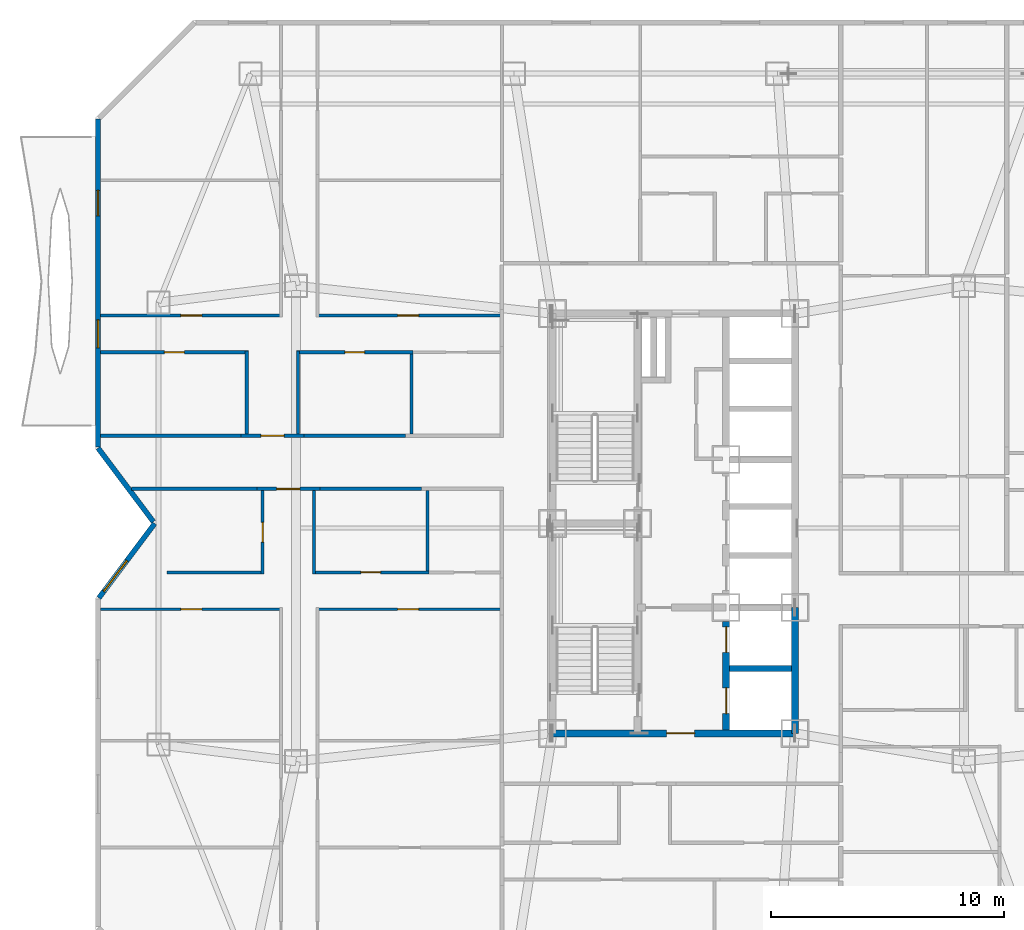
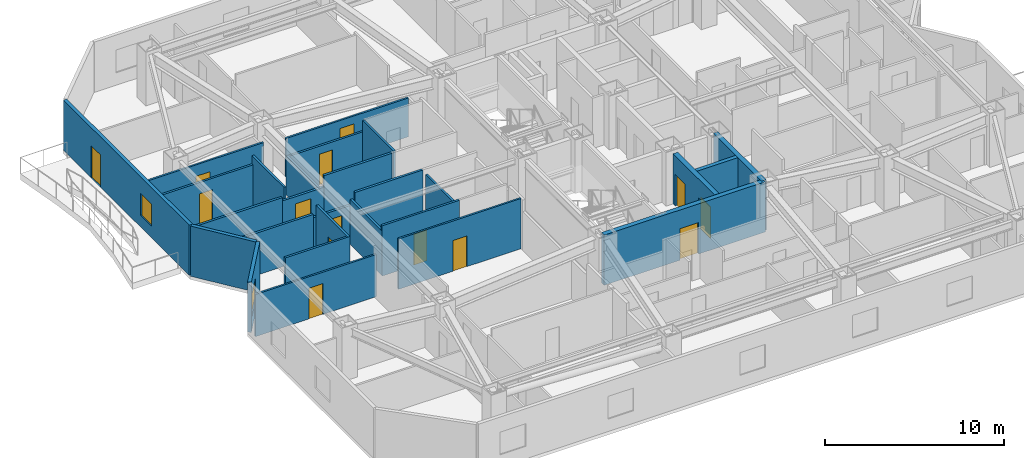
# One storey, part 8 of 14: 27 walls, 14 doors, 2 windows, 16 openings.
"""IFC4 building model written with IfcOpenShell, lengths in metres."""

from ifc_helpers import new_model, si_unit, direction, frame, frame_2d, origin, place, context, subcontext, project, spatial, rectangle, extrude, material, layer, layer_set, type_object, element, fill, save


model = new_model("IFC4")

# Units and contexts
model_context = context("Model", 3, precision=1e-05, world=origin(), true_north=direction((0.0, 1.0)))
body_context = subcontext(model_context, "Body", "Model", "MODEL_VIEW")
ifc_project = project(units=[si_unit("LENGTHUNIT", "METRE"), si_unit("AREAUNIT", "SQUARE_METRE"), si_unit("VOLUMEUNIT", "CUBIC_METRE"), si_unit("PLANEANGLEUNIT", "RADIAN"), si_unit("MASSUNIT", "GRAM", prefix="KILO")], contexts=[model_context])

# Site, building, storey
site_placement = place(None, origin())
site = spatial("IfcSite", under=ifc_project, at=site_placement, CompositionType="ELEMENT")
building_placement = place(site_placement, origin())
building = spatial("IfcBuilding", under=site, at=building_placement, Name="Khamvora Tower", CompositionType="ELEMENT")
storey_placement = place(building_placement, frame((0.0, 0.0, 123.800048828125)))
storey = spatial("IfcBuildingStorey", under=building, at=storey_placement, Name="L31", CompositionType="ELEMENT", Elevation=123.800048828125)

# Wall, opening, door
ifc_material_1 = material(Name="Concrete C50/60", Category="concrete")
ifc_layer_1 = layer(ifc_material_1, 0.300048828125)
ifc_layer_set_1 = layer_set([ifc_layer_1], Name="Concrete C50/60")
wall_type_1 = type_object("IfcWallType", Name="WAL-CORE-300", PredefinedType="SHEAR", material=ifc_layer_set_1)
wall_1_placement = place(storey_placement, frame((29.0, 19.0, 0.0), z_axis=(0.0, 0.0, 1.0), x_axis=(1.0, 0.0, 0.0)))
wall_1 = element("IfcWall", 1, at=wall_1_placement, inside=storey, type_object=wall_type_1, Name="L31 central core south wall", PredefinedType="SHEAR", context=body_context, shape_type="SweptSolid", body=[
    extrude(rectangle(XDim=10.39990234375, YDim=0.300048828125, at=frame_2d((5.199951171875, 0.0))), origin(), (0.0, 0.0, 1.0), 3.429931640625),
])
opening_1_placement = place(wall_1_placement, frame((4.89990234375, 0.0, 0.0)))
opening_1 = element("IfcOpeningElement", 2, at=opening_1_placement, cuts=wall_1, Name="Opening D-CR1", PredefinedType="OPENING", context=body_context, shape_type="SweptSolid", body=[
    extrude(rectangle(XDim=1.199951171875, YDim=2.14990234375, at=frame_2d((0.60009765625, 1.074951171875))), frame((0.0, 0.159912109375, 0.0), z_axis=(0.0, -1.0, 0.0), x_axis=(1.0, 0.0, 0.0)), (0.0, 0.0, 1.0), 0.320068359375),
])
ifc_material_2 = material(Name="Powder-Coated Steel and Hardwood Leaf", Category="steel")
door_type_1 = type_object("IfcDoorType", Name="DOR-CORR-1200", OperationType="NOTDEFINED", PredefinedType="DOOR", material=ifc_material_2)
door_1_placement = place(opening_1_placement, origin())
door_1 = element("IfcDoor", 3, at=door_1_placement, inside=storey, type_object=door_type_1, Name="L31 south core lobby to corridor fire door", OperationType="SINGLE_SWING_LEFT", OverallHeight=2.14990234375, OverallWidth=1.199951171875, PredefinedType="DOOR", context=body_context, shape_type="SweptSolid", body=[
    extrude(rectangle(XDim=1.199951171875, YDim=2.14990234375, at=frame_2d((0.60009765625, 1.074951171875))), frame((0.0, 0.02490234375, 0.0), z_axis=(0.0, -1.0, 0.0), x_axis=(1.0, 0.0, 0.0)), (0.0, 0.0, 1.0), 0.050048828125),
])
fill(opening_1, door_1)

# Wall
wall_2_placement = place(storey_placement, frame((39.39990234375, 19.0, 0.0), z_axis=(0.0, 0.0, 1.0), x_axis=(0.0, 1.0, 0.0)))
element("IfcWall", 4, at=wall_2_placement, inside=storey, type_object=wall_type_1, Name="L31 central core east south wall", PredefinedType="SHEAR", context=body_context, shape_type="SweptSolid", body=[
    extrude(rectangle(XDim=5.39990234375, YDim=0.300048828125, at=frame_2d((2.699951171875, 0.0))), origin(), (0.0, 0.0, 1.0), 3.429931640625),
])

# Wall, openings, doors
wall_3_placement = place(storey_placement, frame((36.449951171875, 19.154052734375, 0.0), z_axis=(0.0, 0.0, 1.0), x_axis=(0.0, 1.0, 0.0)))
wall_3 = element("IfcWall", 5, at=wall_3_placement, inside=storey, type_object=wall_type_1, Name="L31 central core lift bank south wall", PredefinedType="SHEAR", context=body_context, shape_type="SweptSolid", body=[
    extrude(rectangle(XDim=4.64599609375, YDim=0.300048828125, at=frame_2d((2.322998046875, 0.0))), origin(), (0.0, 0.0, 1.0), 3.429931640625),
])
opening_2_placement = place(wall_3_placement, frame((0.696044921875, 0.0, 0.0)))
opening_2 = element("IfcOpeningElement", 6, at=opening_2_placement, cuts=wall_3, Name="Opening LD-FFL", PredefinedType="OPENING", context=body_context, shape_type="SweptSolid", body=[
    extrude(rectangle(XDim=1.10009765625, YDim=2.14990234375, at=frame_2d((0.550048828125, 1.074951171875))), frame((0.0, 0.159912109375, 0.0), z_axis=(0.0, -1.0, 0.0), x_axis=(1.0, 0.0, 0.0)), (0.0, 0.0, 1.0), 0.320068359375),
])
opening_3_placement = place(wall_3_placement, frame((3.31591796875, 0.0, 0.0)))
opening_3 = element("IfcOpeningElement", 7, at=opening_3_placement, cuts=wall_3, Name="Opening LD-FFL", PredefinedType="OPENING", context=body_context, shape_type="SweptSolid", body=[
    extrude(rectangle(XDim=1.10009765625, YDim=2.14990234375, at=frame_2d((0.550048828125, 1.074951171875))), frame((0.0, 0.159912109375, 0.0), z_axis=(0.0, -1.0, 0.0), x_axis=(1.0, 0.0, 0.0)), (0.0, 0.0, 1.0), 0.320068359375),
])
door_type_2 = type_object("IfcDoorType", Name="DOR-LIFT-1100", OperationType="SLIDING_TO_LEFT", PredefinedType="DOOR", material=ifc_material_2)
door_2_placement = place(opening_2_placement, origin())
door_2 = element("IfcDoor", 8, at=door_2_placement, inside=storey, type_object=door_type_2, Name="L31 lift landing sliding door FFL-01", OperationType="SLIDING_TO_LEFT", OverallHeight=2.14990234375, OverallWidth=1.10009765625, PredefinedType="DOOR", context=body_context, shape_type="SweptSolid", body=[
    extrude(rectangle(XDim=1.10009765625, YDim=2.14990234375, at=frame_2d((0.550048828125, 1.074951171875))), frame((0.0, 0.02490234375, 0.0), z_axis=(0.0, -1.0, 0.0), x_axis=(1.0, 0.0, 0.0)), (0.0, 0.0, 1.0), 0.050048828125),
])
fill(opening_2, door_2)
door_3_placement = place(opening_3_placement, origin())
door_3 = element("IfcDoor", 9, at=door_3_placement, inside=storey, type_object=door_type_2, Name="L31 lift landing sliding door FFL-02", OperationType="SLIDING_TO_LEFT", OverallHeight=2.14990234375, OverallWidth=1.10009765625, PredefinedType="DOOR", context=body_context, shape_type="SweptSolid", body=[
    extrude(rectangle(XDim=1.10009765625, YDim=2.14990234375, at=frame_2d((0.550048828125, 1.074951171875))), frame((0.0, 0.02490234375, 0.0), z_axis=(0.0, -1.0, 0.0), x_axis=(1.0, 0.0, 0.0)), (0.0, 0.0, 1.0), 0.050048828125),
])
fill(opening_3, door_3)

# Wall, opening, door
ifc_material_3 = material(Name="Fire-Rated Drywall and Steel Stud", Category="steel")
ifc_layer_2 = layer(ifc_material_3, 0.14990234375)
ifc_layer_set_2 = layer_set([ifc_layer_2], Name="Fire-Rated Drywall and Steel Stud")
wall_type_2 = type_object("IfcWallType", Name="WAL-CORR-150", PredefinedType="STANDARD", material=ifc_layer_set_2)
wall_4_placement = place(storey_placement, frame((19.02001953125, 29.485107421875, 0.0), z_axis=(0.0, 0.0, 1.0), x_axis=(-1.0, 0.0, 0.0)))
wall_4 = element("IfcWall", 10, at=wall_4_placement, inside=storey, type_object=wall_type_2, Name="L31 interior partition wall 008", PredefinedType="STANDARD", context=body_context, shape_type="SweptSolid", body=[
    extrude(rectangle(XDim=2.697998046875, YDim=0.14990234375, at=frame_2d((1.34912109375, 0.0))), origin(), (0.0, 0.0, 1.0), 2.64697265625),
])
opening_4_placement = place(wall_4_placement, frame((0.84912109375, 0.0, 0.0)))
opening_4 = element("IfcOpeningElement", 11, at=opening_4_placement, cuts=wall_4, Name="Opening D-U1", PredefinedType="OPENING", context=body_context, shape_type="SweptSolid", body=[
    extrude(rectangle(XDim=1.0, YDim=2.14990234375, at=frame_2d((0.5, 1.074951171875))), frame((0.0, 0.0849609375, 0.0), z_axis=(0.0, -1.0, 0.0), x_axis=(1.0, 0.0, 0.0)), (0.0, 0.0, 1.0), 0.169921875),
])
door_type_3 = type_object("IfcDoorType", Name="DOR-UNIT-1000", OperationType="NOTDEFINED", PredefinedType="DOOR", material=ifc_material_2)
door_4_placement = place(opening_4_placement, origin())
door_4 = element("IfcDoor", 12, at=door_4_placement, inside=storey, type_object=door_type_3, Name="L31 interior door COR-31WAH", OperationType="SINGLE_SWING_LEFT", OverallHeight=2.14990234375, OverallWidth=1.0, PredefinedType="DOOR", context=body_context, shape_type="SweptSolid", body=[
    extrude(rectangle(XDim=1.0, YDim=2.14990234375, at=frame_2d((0.5, 1.074951171875))), frame((0.0, 0.02490234375, 0.0), z_axis=(0.0, -1.0, 0.0), x_axis=(1.0, 0.0, 0.0)), (0.0, 0.0, 1.0), 0.050048828125),
])
fill(opening_4, door_4)

# Walls
wall_5_placement = place(storey_placement, frame((16.322021484375, 29.485107421875, 0.0), z_axis=(0.0, 0.0, 1.0), x_axis=(-1.0, 0.0, 0.0)))
element("IfcWall", 13, at=wall_5_placement, inside=storey, type_object=wall_type_2, Name="L31 interior partition wall 009", PredefinedType="STANDARD", context=body_context, shape_type="SweptSolid", body=[
    extrude(rectangle(XDim=5.3701171875, YDim=0.14990234375, at=frame_2d((2.68505859375, 0.0))), origin(), (0.0, 0.0, 1.0), 2.8759765625),
])
wall_6_placement = place(storey_placement, frame((23.386962890625, 29.485107421875, 0.0), z_axis=(0.0, 0.0, 1.0), x_axis=(-1.0, 0.0, 0.0)))
element("IfcWall", 14, at=wall_6_placement, inside=storey, type_object=wall_type_2, Name="L31 interior partition wall 010", PredefinedType="STANDARD", context=body_context, shape_type="SweptSolid", body=[
    extrude(rectangle(XDim=4.366943359375, YDim=0.14990234375, at=frame_2d((2.18359375, 0.0))), origin(), (0.0, 0.0, 1.0), 3.429931640625),
])

# Wall, opening, door
wall_7_placement = place(storey_placement, frame((15.64111328125, 31.764892578125, 0.0), z_axis=(0.0, 0.0, 1.0), x_axis=(1.0, 0.0, 0.0)))
wall_7 = element("IfcWall", 15, at=wall_7_placement, inside=storey, type_object=wall_type_2, Name="L31 interior partition wall 016", PredefinedType="STANDARD", context=body_context, shape_type="SweptSolid", body=[
    extrude(rectangle(XDim=2.697998046875, YDim=0.14990234375, at=frame_2d((1.34912109375, 0.0))), origin(), (0.0, 0.0, 1.0), 2.64697265625),
])
opening_5_placement = place(wall_7_placement, frame((0.84912109375, 0.0, 0.0)))
opening_5 = element("IfcOpeningElement", 16, at=opening_5_placement, cuts=wall_7, Name="Opening D-U1", PredefinedType="OPENING", context=body_context, shape_type="SweptSolid", body=[
    extrude(rectangle(XDim=1.0, YDim=2.14990234375, at=frame_2d((0.5, 1.074951171875))), frame((0.0, 0.0849609375, 0.0), z_axis=(0.0, -1.0, 0.0), x_axis=(1.0, 0.0, 0.0)), (0.0, 0.0, 1.0), 0.169921875),
])
door_5_placement = place(opening_5_placement, origin())
door_5 = element("IfcDoor", 17, at=door_5_placement, inside=storey, type_object=door_type_3, Name="L31 interior door COR-31WBH", OperationType="SINGLE_SWING_RIGHT", OverallHeight=2.14990234375, OverallWidth=1.0, PredefinedType="DOOR", context=body_context, shape_type="SweptSolid", body=[
    extrude(rectangle(XDim=1.0, YDim=2.14990234375, at=frame_2d((0.5, 1.074951171875))), frame((0.0, 0.02490234375, 0.0), z_axis=(0.0, -1.0, 0.0), x_axis=(1.0, 0.0, 0.0)), (0.0, 0.0, 1.0), 0.050048828125),
])
fill(opening_5, door_5)

# Walls
wall_8_placement = place(storey_placement, frame((18.339111328125, 31.764892578125, 0.0), z_axis=(0.0, 0.0, 1.0), x_axis=(1.0, 0.0, 0.0)))
element("IfcWall", 18, at=wall_8_placement, inside=storey, type_object=wall_type_2, Name="L31 interior partition wall 017", PredefinedType="STANDARD", context=body_context, shape_type="SweptSolid", body=[
    extrude(rectangle(XDim=4.366943359375, YDim=0.14990234375, at=frame_2d((2.18359375, 0.0))), origin(), (0.0, 0.0, 1.0), 3.429931640625),
])
wall_9_placement = place(storey_placement, frame((9.612060546875, 31.764892578125, 0.0), z_axis=(0.0, 0.0, 1.0), x_axis=(1.0, 0.0, 0.0)))
element("IfcWall", 19, at=wall_9_placement, inside=storey, type_object=wall_type_2, Name="L31 interior partition wall 018", PredefinedType="STANDARD", context=body_context, shape_type="SweptSolid", body=[
    extrude(rectangle(XDim=6.029052734375, YDim=0.14990234375, at=frame_2d((3.0146484375, 0.0))), origin(), (0.0, 0.0, 1.0), 2.8759765625),
])

# Wall, opening, window
ifc_material_4 = material(Name="Precast concrete C40/50", Category="concrete")
ifc_layer_3 = layer(ifc_material_4, 0.219970703125)
ifc_layer_set_3 = layer_set([ifc_layer_3], Name="Precast concrete C40/50")
wall_type_3 = type_object("IfcWallType", Name="WAL-EXT-220", PredefinedType="STANDARD", material=ifc_layer_set_3)
wall_10_placement = place(storey_placement, frame((9.5439453125, 24.80810546875, 0.0), z_axis=(0.0, 0.0, 1.0), x_axis=(0.600019580308, 0.799985314394, 0.0)))
wall_10 = element("IfcWall", 20, at=wall_10_placement, inside=storey, type_object=wall_type_3, Name="L31 exterior facade wall 03.1", PredefinedType="STANDARD", context=body_context, shape_type="SweptSolid", body=[
    extrude(rectangle(XDim=3.989990234375, YDim=0.219970703125, at=frame_2d((1.9951171875, 0.0))), origin(), (0.0, 0.0, 1.0), 3.429931640625),
])
opening_6_placement = place(wall_10_placement, frame((0.35107421875, 0.0, 0.85009765625)))
opening_6 = element("IfcOpeningElement", 21, at=opening_6_placement, cuts=wall_10, Name="Opening WN-06", PredefinedType="OPENING", context=body_context, shape_type="SweptSolid", body=[
    extrude(rectangle(XDim=1.64990234375, YDim=1.550048828125, at=frame_2d((0.824951171875, 0.77490234375))), frame((0.0, 0.119873046875, 0.0), z_axis=(0.0, -1.0, 0.0), x_axis=(1.0, 0.0, 0.0)), (0.0, 0.0, 1.0), 0.239990234375),
])
ifc_material_5 = material(Name="Low-E Laminated Double Glazing", Category="glass")
window_type_1 = type_object("IfcWindowType", Name="WIN-VIS-1650x1550", PartitioningType="SINGLE_PANEL", PredefinedType="WINDOW", material=ifc_material_5)
window_1_placement = place(opening_6_placement, origin())
window_1 = element("IfcWindow", 22, at=window_1_placement, inside=storey, type_object=window_type_1, Name="L31 vision window 03.1.01", OverallHeight=1.550048828125, OverallWidth=1.64990234375, PartitioningType="SINGLE_PANEL", PredefinedType="WINDOW", context=body_context, shape_type="SweptSolid", body=[
    extrude(rectangle(XDim=1.64990234375, YDim=1.550048828125, at=frame_2d((0.824951171875, 0.77490234375))), frame((0.0, 0.030029296875, 0.0), z_axis=(0.0, -1.0, 0.0), x_axis=(1.0, 0.0, 0.0)), (0.0, 0.0, 1.0), 0.06005859375),
])
fill(opening_6, window_1)

# Wall
wall_11_placement = place(storey_placement, frame((11.881103515625, 28.076904296875, 0.0), z_axis=(0.0, 0.0, 1.0), x_axis=(-0.600158184825, 0.799881336942, 0.0)))
element("IfcWall", 23, at=wall_11_placement, inside=storey, type_object=wall_type_3, Name="L31 exterior facade wall 04.1", PredefinedType="STANDARD", context=body_context, shape_type="SweptSolid", body=[
    extrude(rectangle(XDim=3.95068359375, YDim=0.219970703125, at=frame_2d((1.975341796875, 0.0))), origin(), (0.0, 0.0, 1.0), 3.429931640625),
])

# Wall, openings, door, window
wall_12_placement = place(storey_placement, frame((9.510009765625, 31.29296875, 0.0), z_axis=(0.0, 0.0, 1.0), x_axis=(0.0, 1.0, 0.0)))
wall_12 = element("IfcWall", 24, at=wall_12_placement, inside=storey, type_object=wall_type_3, Name="L31 exterior facade wall 05.1", PredefinedType="STANDARD", context=body_context, shape_type="SweptSolid", body=[
    extrude(rectangle(XDim=14.06103515625, YDim=0.219970703125, at=frame_2d((7.030517578125, 0.0))), origin(), (0.0, 0.0, 1.0), 3.429931640625),
])
opening_7_placement = place(wall_12_placement, frame((9.90087890625, 0.0, 0.0)))
opening_7 = element("IfcOpeningElement", 25, at=opening_7_placement, cuts=wall_12, Name="Opening BD-01", PredefinedType="OPENING", context=body_context, shape_type="SweptSolid", body=[
    extrude(rectangle(XDim=1.10009765625, YDim=2.199951171875, at=frame_2d((0.550048828125, 1.10009765625))), frame((0.0, 0.119873046875, 0.0), z_axis=(0.0, -1.0, 0.0), x_axis=(1.0, 0.0, 0.0)), (0.0, 0.0, 1.0), 0.239990234375),
])
opening_8_placement = place(wall_12_placement, frame((4.241943359375, 0.0, 0.800048828125)))
opening_8 = element("IfcOpeningElement", 26, at=opening_8_placement, cuts=wall_12, Name="Opening WN-03", PredefinedType="OPENING", context=body_context, shape_type="SweptSolid", body=[
    extrude(rectangle(XDim=1.199951171875, YDim=1.5, at=frame_2d((0.60009765625, 0.75))), frame((0.0, 0.119873046875, 0.0), z_axis=(0.0, -1.0, 0.0), x_axis=(1.0, 0.0, 0.0)), (0.0, 0.0, 1.0), 0.239990234375),
])
ifc_material_6 = material(Name="Anodised Aluminium and Laminated Safety Glass", Category="aluminium")
door_type_4 = type_object("IfcDoorType", Name="DOR-BAL-1100", OperationType="NOTDEFINED", PredefinedType="DOOR", material=ifc_material_6)
door_6_placement = place(opening_7_placement, origin())
door_6 = element("IfcDoor", 27, at=door_6_placement, inside=storey, type_object=door_type_4, Name="L31 lens gallery balcony door WL2", OperationType="SLIDING_TO_LEFT", OverallHeight=2.199951171875, OverallWidth=1.10009765625, PredefinedType="DOOR", context=body_context, shape_type="SweptSolid", body=[
    extrude(rectangle(XDim=1.10009765625, YDim=2.199951171875, at=frame_2d((0.550048828125, 1.10009765625))), frame((0.0, 0.02490234375, 0.0), z_axis=(0.0, -1.0, 0.0), x_axis=(1.0, 0.0, 0.0)), (0.0, 0.0, 1.0), 0.050048828125),
])
fill(opening_7, door_6)
window_type_2 = type_object("IfcWindowType", Name="WIN-VIS-1200x1500", PartitioningType="SINGLE_PANEL", PredefinedType="WINDOW", material=ifc_material_5)
window_2_placement = place(opening_8_placement, origin())
window_2 = element("IfcWindow", 28, at=window_2_placement, inside=storey, type_object=window_type_2, Name="L31 vision window 05.1.01", OverallHeight=1.5, OverallWidth=1.199951171875, PartitioningType="SINGLE_PANEL", PredefinedType="WINDOW", context=body_context, shape_type="SweptSolid", body=[
    extrude(rectangle(XDim=1.199951171875, YDim=1.5, at=frame_2d((0.60009765625, 0.75))), frame((0.0, 0.030029296875, 0.0), z_axis=(0.0, -1.0, 0.0), x_axis=(1.0, 0.0, 0.0)), (0.0, 0.0, 1.0), 0.06005859375),
])
fill(opening_8, window_2)

# Wall, opening, door
ifc_material_7 = material(Name="Gypsum Plasterboard Partition", Category="gypsum")
ifc_layer_4 = layer(ifc_material_7, 0.1201171875)
ifc_layer_set_4 = layer_set([ifc_layer_4], Name="Gypsum Plasterboard Partition")
wall_type_4 = type_object("IfcWallType", Name="WAL-PART-120", PredefinedType="PARTITIONING", material=ifc_layer_set_4)
wall_13_placement = place(storey_placement, frame((17.419921875, 24.324951171875, 0.0), z_axis=(0.0, 0.0, 1.0), x_axis=(-1.0, 0.0, 0.0)))
wall_13 = element("IfcWall", 29, at=wall_13_placement, inside=storey, type_object=wall_type_4, Name="L31 interior partition wall 053", PredefinedType="PARTITIONING", context=body_context, shape_type="SweptSolid", body=[
    extrude(rectangle(XDim=7.807861328125, YDim=0.1201171875, at=frame_2d((3.90380859375, 0.0))), origin(), (0.0, 0.0, 1.0), 2.8759765625),
])
opening_9_placement = place(wall_13_placement, frame((3.4541015625, 0.0, 0.0)))
opening_9 = element("IfcOpeningElement", 30, at=opening_9_placement, cuts=wall_13, Name="Opening D-RM1", PredefinedType="OPENING", context=body_context, shape_type="SweptSolid", body=[
    extrude(rectangle(XDim=0.89990234375, YDim=2.10009765625, at=frame_2d((0.449951171875, 1.050048828125))), frame((0.0, 0.070068359375, 0.0), z_axis=(0.0, -1.0, 0.0), x_axis=(1.0, 0.0, 0.0)), (0.0, 0.0, 1.0), 0.14013671875),
])
door_type_5 = type_object("IfcDoorType", Name="DOR-ROOM-900", OperationType="NOTDEFINED", PredefinedType="DOOR", material=ifc_material_2)
door_7_placement = place(opening_9_placement, origin())
door_7 = element("IfcDoor", 31, at=door_7_placement, inside=storey, type_object=door_type_5, Name="L31 interior door 31WAH-31WAR3", OperationType="SINGLE_SWING_LEFT", OverallHeight=2.10009765625, OverallWidth=0.89990234375, PredefinedType="DOOR", context=body_context, shape_type="SweptSolid", body=[
    extrude(rectangle(XDim=0.89990234375, YDim=2.10009765625, at=frame_2d((0.449951171875, 1.050048828125))), frame((0.0, 0.02490234375, 0.0), z_axis=(0.0, -1.0, 0.0), x_axis=(1.0, 0.0, 0.0)), (0.0, 0.0, 1.0), 0.050048828125),
])
fill(opening_9, door_7)

wall_14_placement = place(storey_placement, frame((26.77001953125, 24.324951171875, 0.0), z_axis=(0.0, 0.0, 1.0), x_axis=(-1.0, 0.0, 0.0)))
wall_14 = element("IfcWall", 32, at=wall_14_placement, inside=storey, type_object=wall_type_4, Name="L31 interior partition wall 056", PredefinedType="PARTITIONING", context=body_context, shape_type="SweptSolid", body=[
    extrude(rectangle(XDim=7.909912109375, YDim=0.1201171875, at=frame_2d((3.955078125, 0.0))), origin(), (0.0, 0.0, 1.0), 3.429931640625),
])
opening_10_placement = place(wall_14_placement, frame((3.5048828125, 0.0, 0.0)))
opening_10 = element("IfcOpeningElement", 33, at=opening_10_placement, cuts=wall_14, Name="Opening D-RM1", PredefinedType="OPENING", context=body_context, shape_type="SweptSolid", body=[
    extrude(rectangle(XDim=0.89990234375, YDim=2.10009765625, at=frame_2d((0.449951171875, 1.050048828125))), frame((0.0, 0.070068359375, 0.0), z_axis=(0.0, -1.0, 0.0), x_axis=(1.0, 0.0, 0.0)), (0.0, 0.0, 1.0), 0.14013671875),
])
door_8_placement = place(opening_10_placement, origin())
door_8 = element("IfcDoor", 34, at=door_8_placement, inside=storey, type_object=door_type_5, Name="L31 interior door 31WAH-31WAR6", OperationType="SINGLE_SWING_RIGHT", OverallHeight=2.10009765625, OverallWidth=0.89990234375, PredefinedType="DOOR", context=body_context, shape_type="SweptSolid", body=[
    extrude(rectangle(XDim=0.89990234375, YDim=2.10009765625, at=frame_2d((0.449951171875, 1.050048828125))), frame((0.0, 0.02490234375, 0.0), z_axis=(0.0, -1.0, 0.0), x_axis=(1.0, 0.0, 0.0)), (0.0, 0.0, 1.0), 0.050048828125),
])
fill(opening_10, door_8)

wall_15_placement = place(storey_placement, frame((9.612060546875, 36.925048828125, 0.0), z_axis=(0.0, 0.0, 1.0), x_axis=(1.0, 0.0, 0.0)))
wall_15 = element("IfcWall", 35, at=wall_15_placement, inside=storey, type_object=wall_type_4, Name="L31 interior partition wall 072", PredefinedType="PARTITIONING", context=body_context, shape_type="SweptSolid", body=[
    extrude(rectangle(XDim=7.807861328125, YDim=0.1201171875, at=frame_2d((3.90380859375, 0.0))), origin(), (0.0, 0.0, 1.0), 2.8759765625),
])
opening_11_placement = place(wall_15_placement, frame((3.4541015625, 0.0, 0.0)))
opening_11 = element("IfcOpeningElement", 36, at=opening_11_placement, cuts=wall_15, Name="Opening D-RM1", PredefinedType="OPENING", context=body_context, shape_type="SweptSolid", body=[
    extrude(rectangle(XDim=0.89990234375, YDim=2.10009765625, at=frame_2d((0.449951171875, 1.050048828125))), frame((0.0, 0.070068359375, 0.0), z_axis=(0.0, -1.0, 0.0), x_axis=(1.0, 0.0, 0.0)), (0.0, 0.0, 1.0), 0.14013671875),
])
door_9_placement = place(opening_11_placement, origin())
door_9 = element("IfcDoor", 37, at=door_9_placement, inside=storey, type_object=door_type_5, Name="L31 interior door 31WBH-31WBR1", OperationType="SINGLE_SWING_RIGHT", OverallHeight=2.10009765625, OverallWidth=0.89990234375, PredefinedType="DOOR", context=body_context, shape_type="SweptSolid", body=[
    extrude(rectangle(XDim=0.89990234375, YDim=2.10009765625, at=frame_2d((0.449951171875, 1.050048828125))), frame((0.0, 0.02490234375, 0.0), z_axis=(0.0, -1.0, 0.0), x_axis=(1.0, 0.0, 0.0)), (0.0, 0.0, 1.0), 0.050048828125),
])
fill(opening_11, door_9)

wall_16_placement = place(storey_placement, frame((18.860107421875, 36.925048828125, 0.0), z_axis=(0.0, 0.0, 1.0), x_axis=(1.0, 0.0, 0.0)))
wall_16 = element("IfcWall", 38, at=wall_16_placement, inside=storey, type_object=wall_type_4, Name="L31 interior partition wall 076", PredefinedType="PARTITIONING", context=body_context, shape_type="SweptSolid", body=[
    extrude(rectangle(XDim=7.909912109375, YDim=0.1201171875, at=frame_2d((3.955078125, 0.0))), origin(), (0.0, 0.0, 1.0), 2.64697265625),
])
opening_12_placement = place(wall_16_placement, frame((3.5048828125, 0.0, 0.0)))
opening_12 = element("IfcOpeningElement", 39, at=opening_12_placement, cuts=wall_16, Name="Opening D-RM1", PredefinedType="OPENING", context=body_context, shape_type="SweptSolid", body=[
    extrude(rectangle(XDim=0.89990234375, YDim=2.10009765625, at=frame_2d((0.449951171875, 1.050048828125))), frame((0.0, 0.070068359375, 0.0), z_axis=(0.0, -1.0, 0.0), x_axis=(1.0, 0.0, 0.0)), (0.0, 0.0, 1.0), 0.14013671875),
])
door_10_placement = place(opening_12_placement, origin())
door_10 = element("IfcDoor", 40, at=door_10_placement, inside=storey, type_object=door_type_5, Name="L31 interior door 31WBH-31WBR3", OperationType="SINGLE_SWING_LEFT", OverallHeight=2.10009765625, OverallWidth=0.89990234375, PredefinedType="DOOR", context=body_context, shape_type="SweptSolid", body=[
    extrude(rectangle(XDim=0.89990234375, YDim=2.10009765625, at=frame_2d((0.449951171875, 1.050048828125))), frame((0.0, 0.02490234375, 0.0), z_axis=(0.0, -1.0, 0.0), x_axis=(1.0, 0.0, 0.0)), (0.0, 0.0, 1.0), 0.050048828125),
])
fill(opening_12, door_10)

# Walls
ifc_material_8 = material(Name="Concrete C40/50", Category="concrete")
ifc_layer_5 = layer(ifc_material_8, 0.25)
ifc_layer_set_5 = layer_set([ifc_layer_5], Name="Concrete C40/50")
wall_type_5 = type_object("IfcWallType", Name="WAL-PODS-250", PredefinedType="SHEAR", material=ifc_layer_set_5)
wall_17_placement = place(storey_placement, frame((36.60400390625, 21.77490234375, 0.0), z_axis=(0.0, 0.0, 1.0), x_axis=(1.0, 0.0, 0.0)))
element("IfcWall", 41, at=wall_17_placement, inside=storey, type_object=wall_type_5, Name="L31 lift shaft divider wall FFL-01", PredefinedType="SHEAR", context=body_context, shape_type="SweptSolid", body=[
    extrude(rectangle(XDim=2.64208984375, YDim=0.25, at=frame_2d((1.321044921875, 0.0))), origin(), (0.0, 0.0, 1.0), 3.429931640625),
])
ifc_material_9 = material(Name="Moisture-Resistant Plasterboard Partition", Category="gypsum")
ifc_layer_6 = layer(ifc_material_9, 0.135009765625)
ifc_layer_set_6 = layer_set([ifc_layer_6], Name="Moisture-Resistant Plasterboard Partition")
wall_type_6 = type_object("IfcWallType", Name="WAL-WET-135", PredefinedType="PARTITIONING", material=ifc_layer_set_6)
wall_18_placement = place(storey_placement, frame((23.635986328125, 25.969970703125, 0.0), z_axis=(0.0, 0.0, 1.0), x_axis=(0.0, 1.0, 0.0)))
element("IfcWall", 42, at=wall_18_placement, inside=storey, type_object=wall_type_6, Name="L31 interior partition wall 045", PredefinedType="PARTITIONING", context=body_context, shape_type="SweptSolid", body=[
    extrude(rectangle(XDim=3.447998046875, YDim=0.135009765625, at=frame_2d((1.72412109375, 0.0))), origin(), (0.0, 0.0, 1.0), 3.06494140625),
])
wall_19_placement = place(storey_placement, frame((12.45703125, 25.905029296875, 0.0), z_axis=(0.0, 0.0, 1.0), x_axis=(1.0, 0.0, 0.0)))
element("IfcWall", 43, at=wall_19_placement, inside=storey, type_object=wall_type_6, Name="L31 interior partition wall 046", PredefinedType="PARTITIONING", context=body_context, shape_type="SweptSolid", body=[
    extrude(rectangle(XDim=4.178955078125, YDim=0.135009765625, at=frame_2d((2.08935546875, 0.0))), origin(), (0.0, 0.0, 1.0), 3.429931640625),
])

# Wall, opening, door
wall_20_placement = place(storey_placement, frame((16.571044921875, 25.840087890625, 0.0), z_axis=(0.0, 0.0, 1.0), x_axis=(0.0, 1.0, 0.0)))
wall_20 = element("IfcWall", 44, at=wall_20_placement, inside=storey, type_object=wall_type_6, Name="L31 interior partition wall 047", PredefinedType="PARTITIONING", context=body_context, shape_type="SweptSolid", body=[
    extrude(rectangle(XDim=3.577880859375, YDim=0.135009765625, at=frame_2d((1.7890625, 0.0))), origin(), (0.0, 0.0, 1.0), 3.429931640625),
])
opening_13_placement = place(wall_20_placement, frame((1.364013671875, 0.0, 0.0)))
opening_13 = element("IfcOpeningElement", 45, at=opening_13_placement, cuts=wall_20, Name="Opening D-WC1", PredefinedType="OPENING", context=body_context, shape_type="SweptSolid", body=[
    extrude(rectangle(XDim=0.85009765625, YDim=2.10009765625, at=frame_2d((0.425048828125, 1.050048828125))), frame((0.0, 0.077392578125, 0.0), z_axis=(0.0, -1.0, 0.0), x_axis=(1.0, 0.0, 0.0)), (0.0, 0.0, 1.0), 0.155029296875),
])
door_type_6 = type_object("IfcDoorType", Name="DOR-WET-850", OperationType="NOTDEFINED", PredefinedType="DOOR", material=ifc_material_2)
door_11_placement = place(opening_13_placement, origin())
door_11 = element("IfcDoor", 46, at=door_11_placement, inside=storey, type_object=door_type_6, Name="L31 interior door 31WAH-31WAB", OperationType="SINGLE_SWING_LEFT", OverallHeight=2.10009765625, OverallWidth=0.85009765625, PredefinedType="DOOR", context=body_context, shape_type="SweptSolid", body=[
    extrude(rectangle(XDim=0.85009765625, YDim=2.10009765625, at=frame_2d((0.425048828125, 1.050048828125))), frame((0.0, 0.02490234375, 0.0), z_axis=(0.0, -1.0, 0.0), x_axis=(1.0, 0.0, 0.0)), (0.0, 0.0, 1.0), 0.050048828125),
])
fill(opening_13, door_11)

# Wall
wall_21_placement = place(storey_placement, frame((18.77099609375, 29.41796875, 0.0), z_axis=(0.0, 0.0, 1.0), x_axis=(0.0, -1.0, 0.0)))
element("IfcWall", 47, at=wall_21_placement, inside=storey, type_object=wall_type_6, Name="L31 interior partition wall 048", PredefinedType="PARTITIONING", context=body_context, shape_type="SweptSolid", body=[
    extrude(rectangle(XDim=3.577880859375, YDim=0.135009765625, at=frame_2d((1.7890625, 0.0))), origin(), (0.0, 0.0, 1.0), 3.06494140625),
])

# Wall, opening, door
wall_22_placement = place(storey_placement, frame((18.7060546875, 25.905029296875, 0.0), z_axis=(0.0, 0.0, 1.0), x_axis=(1.0, 0.0, 0.0)))
wall_22 = element("IfcWall", 48, at=wall_22_placement, inside=storey, type_object=wall_type_6, Name="L31 interior partition wall 049", PredefinedType="PARTITIONING", context=body_context, shape_type="SweptSolid", body=[
    extrude(rectangle(XDim=4.994873046875, YDim=0.135009765625, at=frame_2d((2.49755859375, 0.0))), origin(), (0.0, 0.0, 1.0), 3.429931640625),
])
opening_14_placement = place(wall_22_placement, frame((2.072998046875, 0.0, 0.0)))
opening_14 = element("IfcOpeningElement", 49, at=opening_14_placement, cuts=wall_22, Name="Opening D-RM2", PredefinedType="OPENING", context=body_context, shape_type="SweptSolid", body=[
    extrude(rectangle(XDim=0.85009765625, YDim=2.10009765625, at=frame_2d((0.425048828125, 1.050048828125))), frame((0.0, 0.077392578125, 0.0), z_axis=(0.0, -1.0, 0.0), x_axis=(1.0, 0.0, 0.0)), (0.0, 0.0, 1.0), 0.155029296875),
])
door_type_7 = type_object("IfcDoorType", Name="DOR-ROOM-850", OperationType="NOTDEFINED", PredefinedType="DOOR", material=ifc_material_2)
door_12_placement = place(opening_14_placement, origin())
door_12 = element("IfcDoor", 50, at=door_12_placement, inside=storey, type_object=door_type_7, Name="L31 interior door 31WAH-31WAK", OperationType="SINGLE_SWING_RIGHT", OverallHeight=2.10009765625, OverallWidth=0.85009765625, PredefinedType="DOOR", context=body_context, shape_type="SweptSolid", body=[
    extrude(rectangle(XDim=0.85009765625, YDim=2.10009765625, at=frame_2d((0.425048828125, 1.050048828125))), frame((0.0, 0.02490234375, 0.0), z_axis=(0.0, -1.0, 0.0), x_axis=(1.0, 0.0, 0.0)), (0.0, 0.0, 1.0), 0.050048828125),
])
fill(opening_14, door_12)

# Wall
wall_23_placement = place(storey_placement, frame((22.955078125, 31.83203125, 0.0), z_axis=(0.0, 0.0, 1.0), x_axis=(0.0, 1.0, 0.0)))
element("IfcWall", 51, at=wall_23_placement, inside=storey, type_object=wall_type_6, Name="L31 interior partition wall 067", PredefinedType="PARTITIONING", context=body_context, shape_type="SweptSolid", body=[
    extrude(rectangle(XDim=3.447998046875, YDim=0.135009765625, at=frame_2d((1.72412109375, 0.0))), origin(), (0.0, 0.0, 1.0), 3.429931640625),
])

# Wall, opening, door
wall_24_placement = place(storey_placement, frame((23.02001953125, 35.344970703125, 0.0), z_axis=(0.0, 0.0, 1.0), x_axis=(-1.0, 0.0, 0.0)))
wall_24 = element("IfcWall", 52, at=wall_24_placement, inside=storey, type_object=wall_type_6, Name="L31 interior partition wall 068", PredefinedType="PARTITIONING", context=body_context, shape_type="SweptSolid", body=[
    extrude(rectangle(XDim=4.9951171875, YDim=0.135009765625, at=frame_2d((2.49755859375, 0.0))), origin(), (0.0, 0.0, 1.0), 2.64697265625),
])
opening_15_placement = place(wall_24_placement, frame((2.072998046875, 0.0, 0.0)))
opening_15 = element("IfcOpeningElement", 53, at=opening_15_placement, cuts=wall_24, Name="Opening D-WC1", PredefinedType="OPENING", context=body_context, shape_type="SweptSolid", body=[
    extrude(rectangle(XDim=0.85009765625, YDim=2.10009765625, at=frame_2d((0.425048828125, 1.050048828125))), frame((0.0, 0.077392578125, 0.0), z_axis=(0.0, -1.0, 0.0), x_axis=(1.0, 0.0, 0.0)), (0.0, 0.0, 1.0), 0.155029296875),
])
door_13_placement = place(opening_15_placement, origin())
door_13 = element("IfcDoor", 54, at=door_13_placement, inside=storey, type_object=door_type_6, Name="L31 interior door 31WBH-31WBB", OperationType="SINGLE_SWING_LEFT", OverallHeight=2.10009765625, OverallWidth=0.85009765625, PredefinedType="DOOR", context=body_context, shape_type="SweptSolid", body=[
    extrude(rectangle(XDim=0.85009765625, YDim=2.10009765625, at=frame_2d((0.425048828125, 1.050048828125))), frame((0.0, 0.02490234375, 0.0), z_axis=(0.0, -1.0, 0.0), x_axis=(1.0, 0.0, 0.0)), (0.0, 0.0, 1.0), 0.050048828125),
])
fill(opening_15, door_13)

# Walls
wall_25_placement = place(storey_placement, frame((18.090087890625, 35.409912109375, 0.0), z_axis=(0.0, 0.0, 1.0), x_axis=(0.0, -1.0, 0.0)))
element("IfcWall", 55, at=wall_25_placement, inside=storey, type_object=wall_type_6, Name="L31 interior partition wall 069", PredefinedType="PARTITIONING", context=body_context, shape_type="SweptSolid", body=[
    extrude(rectangle(XDim=3.577880859375, YDim=0.135009765625, at=frame_2d((1.7890625, 0.0))), origin(), (0.0, 0.0, 1.0), 2.64697265625),
])
wall_26_placement = place(storey_placement, frame((15.889892578125, 31.83203125, 0.0), z_axis=(0.0, 0.0, 1.0), x_axis=(0.0, 1.0, 0.0)))
element("IfcWall", 56, at=wall_26_placement, inside=storey, type_object=wall_type_6, Name="L31 interior partition wall 070", PredefinedType="PARTITIONING", context=body_context, shape_type="SweptSolid", body=[
    extrude(rectangle(XDim=3.577880859375, YDim=0.135009765625, at=frame_2d((1.7890625, 0.0))), origin(), (0.0, 0.0, 1.0), 3.429931640625),
])

# Wall, opening, door
wall_27_placement = place(storey_placement, frame((15.955078125, 35.344970703125, 0.0), z_axis=(0.0, 0.0, 1.0), x_axis=(-1.0, 0.0, 0.0)))
wall_27 = element("IfcWall", 57, at=wall_27_placement, inside=storey, type_object=wall_type_6, Name="L31 interior partition wall 071", PredefinedType="PARTITIONING", context=body_context, shape_type="SweptSolid", body=[
    extrude(rectangle(XDim=6.343017578125, YDim=0.135009765625, at=frame_2d((3.17138671875, 0.0))), origin(), (0.0, 0.0, 1.0), 2.8759765625),
])
opening_16_placement = place(wall_27_placement, frame((2.7470703125, 0.0, 0.0)))
opening_16 = element("IfcOpeningElement", 58, at=opening_16_placement, cuts=wall_27, Name="Opening D-RM2", PredefinedType="OPENING", context=body_context, shape_type="SweptSolid", body=[
    extrude(rectangle(XDim=0.85009765625, YDim=2.10009765625, at=frame_2d((0.425048828125, 1.050048828125))), frame((0.0, 0.077392578125, 0.0), z_axis=(0.0, -1.0, 0.0), x_axis=(1.0, 0.0, 0.0)), (0.0, 0.0, 1.0), 0.155029296875),
])
door_14_placement = place(opening_16_placement, origin())
door_14 = element("IfcDoor", 59, at=door_14_placement, inside=storey, type_object=door_type_7, Name="L31 interior door 31WBH-31WBK", OperationType="SINGLE_SWING_RIGHT", OverallHeight=2.10009765625, OverallWidth=0.85009765625, PredefinedType="DOOR", context=body_context, shape_type="SweptSolid", body=[
    extrude(rectangle(XDim=0.85009765625, YDim=2.10009765625, at=frame_2d((0.425048828125, 1.050048828125))), frame((0.0, 0.02490234375, 0.0), z_axis=(0.0, -1.0, 0.0), x_axis=(1.0, 0.0, 0.0)), (0.0, 0.0, 1.0), 0.050048828125),
])
fill(opening_16, door_14)

save(model, "model.ifc")
